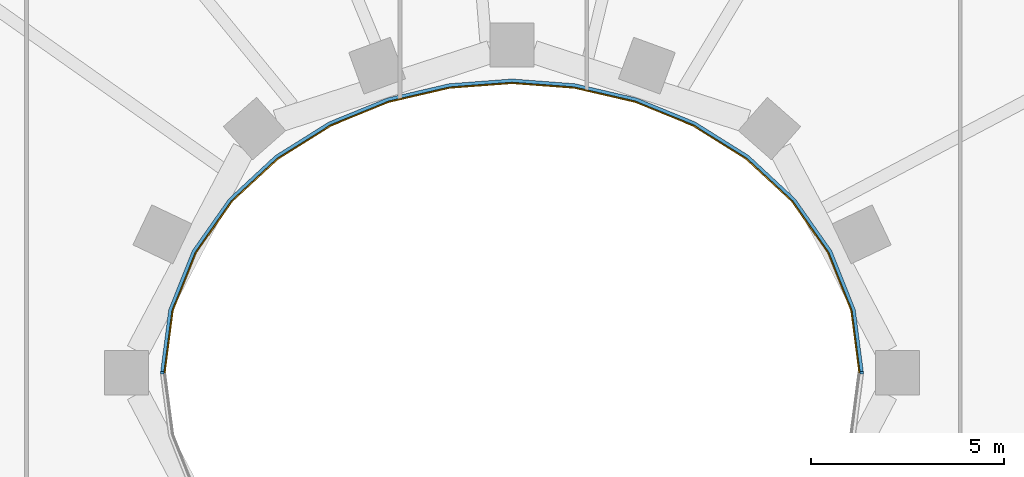
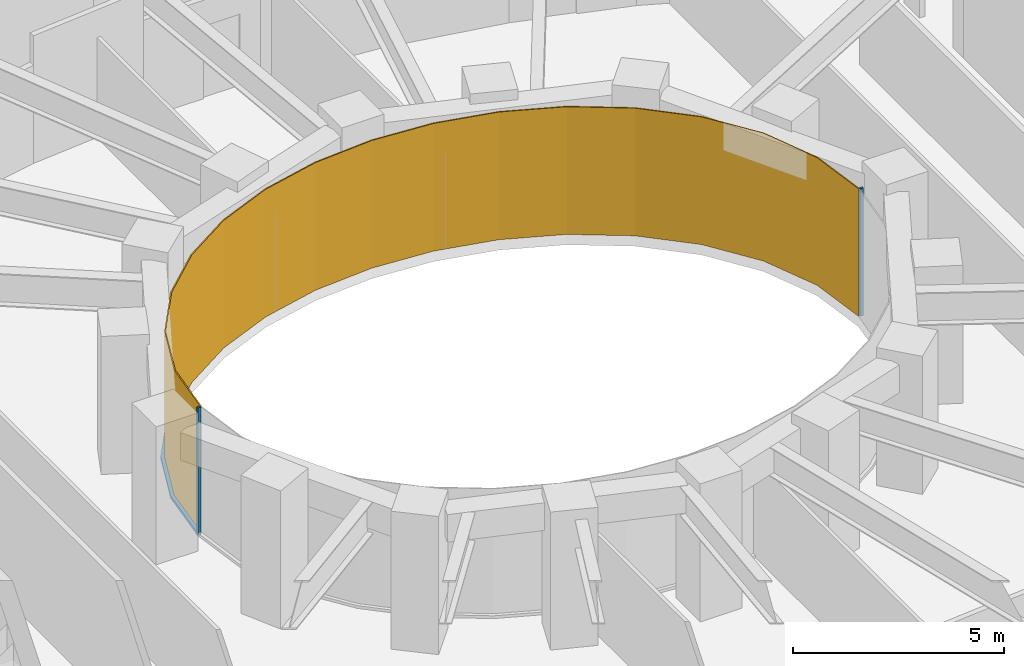
# One storey, part 13 of 17: 3 members, 1 curtain wall.
"""IFC4 building model written with IfcOpenShell, lengths in metres."""

import ifcopenshell
import ifcopenshell.guid

model = None  # the IFC model being written
_history = None  # IfcOwnerHistory: only IFC2X3 demands one
_inside = {}  # id of a spatial element -> (the spatial element, [elements in it])
_under = {}  # id of a project, library or spatial element -> (it, [spatial elements below it])
_declared = {}  # id of a project -> (the project, [libraries it declares])
_typed = {}  # id of a type object -> (the type object, [elements of that type])
_made_of = {}  # id of a material, layer set ... -> (it, [elements and type objects made of it])


def new_model(schema):
    """Start an empty IFC model of exactly this schema.

    Asked for "IFC4X3", IfcOpenShell would pick the latest addendum, in which some entities
    have other attributes; the version numbers below select the first issue.
    IFC2X3 requires an IfcOwnerHistory on every rooted entity: one is made here for all.
    """
    global model, _history
    if schema == "IFC4X3":
        model = ifcopenshell.file(schema_version=(4, 3, 0, 0))
    else:
        model = ifcopenshell.file(schema=schema)
    _inside.clear()
    _under.clear()
    _declared.clear()
    _typed.clear()
    _made_of.clear()
    _history = None
    if model.schema == "IFC2X3":
        org = make("IfcOrganization", Name="unknown")
        user = make(
            "IfcPersonAndOrganization",
            ThePerson=make("IfcPerson", FamilyName="unknown"),
            TheOrganization=org,
        )
        app = make(
            "IfcApplication",
            ApplicationDeveloper=org,
            Version="unknown",
            ApplicationFullName="unknown",
            ApplicationIdentifier="unknown",
        )
        _history = make(
            "IfcOwnerHistory",
            OwningUser=user,
            OwningApplication=app,
            ChangeAction="ADDED",
            CreationDate=0,
        )
    return model


def make(cls, **values):
    """One entity of the class cls with the attributes given. An attribute that is None is left unset."""
    return model.create_entity(
        cls, **{name: value for name, value in values.items() if value is not None}
    )


def rooted(cls, **values):
    """An entity with a GlobalId (a new one), such as an element, a storey or a relation."""
    return make(cls, GlobalId=ifcopenshell.guid.new(), OwnerHistory=_history, **values)


def si_unit(unit_type, name, prefix=None):
    """IfcSIUnit, for example si_unit("LENGTHUNIT", "METRE", prefix="MILLI")."""
    return make("IfcSIUnit", UnitType=unit_type, Prefix=prefix, Name=name)


def assignment(units):
    """IfcUnitAssignment: the units of a project."""
    return None if units is None else make("IfcUnitAssignment", Units=units)


def point(xyz):
    """IfcCartesianPoint."""
    return None if xyz is None else make("IfcCartesianPoint", Coordinates=xyz)


def direction(xyz):
    """IfcDirection."""
    return None if xyz is None else make("IfcDirection", DirectionRatios=xyz)


def frame(location, z_axis=None, x_axis=None):
    """IfcAxis2Placement3D, a coordinate frame: its origin and axes. An axis left out is left unset."""
    return make(
        "IfcAxis2Placement3D",
        Location=point(location),
        Axis=direction(z_axis),
        RefDirection=direction(x_axis),
    )


def frame_2d(location, x_axis=None):
    """IfcAxis2Placement2D, a coordinate frame in the plane: its origin and x axis."""
    return make(
        "IfcAxis2Placement2D", Location=point(location), RefDirection=direction(x_axis)
    )


def origin():
    """The frame at (0, 0, 0) with its axes left unset."""
    return frame((0.0, 0.0, 0.0))


def origin_2d():
    """The frame at (0, 0) in the plane with its x axis left unset."""
    return frame_2d((0.0, 0.0))


def place(relative_to, where):
    """IfcLocalPlacement: puts the frame where relative to a parent placement (None: the world)."""
    return make(
        "IfcLocalPlacement", PlacementRelTo=relative_to, RelativePlacement=where
    )


def context(
    kind, dimensions, precision=None, world=None, true_north=None, identifier=None
):
    """IfcGeometricRepresentationContext, for example the 3D "Model" context."""
    return make(
        "IfcGeometricRepresentationContext",
        ContextIdentifier=identifier,
        ContextType=kind,
        CoordinateSpaceDimension=dimensions,
        Precision=precision,
        WorldCoordinateSystem=world,
        TrueNorth=true_north,
    )


def subcontext(parent, identifier, kind, view, scale=None):
    """IfcGeometricRepresentationSubContext, for example "Body" below "Model"."""
    return make(
        "IfcGeometricRepresentationSubContext",
        ContextIdentifier=identifier,
        ContextType=kind,
        ParentContext=parent,
        TargetScale=scale,
        TargetView=view,
    )


def project(units=None, contexts=None):
    """IfcProject with its units and contexts."""
    return rooted(
        "IfcProject",
        Name="project",
        RepresentationContexts=contexts,
        UnitsInContext=assignment(units),
    )


def spatial(cls, under=None, at=None, **own):
    """A site, building, storey or space (cls), placed at a placement, below another one or the project."""
    s = rooted(cls, ObjectPlacement=at, **own)
    if under is not None:
        _under.setdefault(under.id(), (under, []))[1].append(s)
    return s


def polyline(points):
    """IfcPolyline through the points."""
    return make("IfcPolyline", Points=[point(p) for p in points])


def profile(cls, at=None, kind="AREA", **sizes):
    """A parametric profile (cls). Its sizes go by their IFC names, for example OverallWidth=200.0."""
    return make(cls, ProfileType=kind, Position=at, **sizes)


def rectangle(**sizes):
    """IfcRectangleProfileDef."""
    return profile("IfcRectangleProfileDef", **sizes)


def outline(outer, holes=None, kind="AREA"):
    """IfcArbitraryClosedProfileDef: a profile drawn as a closed curve; with holes, ...WithVoids."""
    if holes is None:
        return make("IfcArbitraryClosedProfileDef", ProfileType=kind, OuterCurve=outer)
    return make(
        "IfcArbitraryProfileDefWithVoids",
        ProfileType=kind,
        OuterCurve=outer,
        InnerCurves=holes,
    )


def extrude(swept, where, along, depth):
    """IfcExtrudedAreaSolid: the profile swept, set in the frame where, extruded along a direction by depth."""
    return make(
        "IfcExtrudedAreaSolid",
        SweptArea=swept,
        Position=where,
        ExtrudedDirection=direction(along),
        Depth=depth,
    )


def shape(context_of_items, identifier, shape_type, items):
    """IfcShapeRepresentation: the items that make up one representation, for example the "Body"."""
    return make(
        "IfcShapeRepresentation",
        ContextOfItems=context_of_items,
        RepresentationIdentifier=identifier,
        RepresentationType=shape_type,
        Items=items,
    )


def material(Name=None, Category=None):
    """IfcMaterial."""
    return make("IfcMaterial", Name=Name, Category=Category)


def layer(
    of_material, thickness, ventilated=None, Name=None, Category=None, Priority=None
):
    """IfcMaterialLayer: one layer of a wall or slab, of a material (None: an air gap)."""
    return make(
        "IfcMaterialLayer",
        Material=of_material,
        LayerThickness=thickness,
        IsVentilated=ventilated,
        Name=Name,
        Category=Category,
        Priority=Priority,
    )


def layer_set(layers, Name=None):
    """IfcMaterialLayerSet."""
    return make("IfcMaterialLayerSet", MaterialLayers=layers, LayerSetName=Name)


def material_profile(
    of_material, cross_section, Name=None, Category=None, Priority=None
):
    """IfcMaterialProfile: a cross section and its material."""
    return make(
        "IfcMaterialProfile",
        Name=Name,
        Material=of_material,
        Profile=cross_section,
        Priority=Priority,
        Category=Category,
    )


def profile_set(profiles, Name=None, composite=None):
    """IfcMaterialProfileSet."""
    return make(
        "IfcMaterialProfileSet",
        Name=Name,
        MaterialProfiles=profiles,
        CompositeProfile=composite,
    )


def made_of(thing, what):
    """Note that an element or type object is made of a material, layer set ...; save() writes the relation."""
    if what is not None:
        _made_of.setdefault(what.id(), (what, []))[1].append(thing)
    return thing


def type_object(cls, material=None, **own):
    """A type object (cls), such as IfcWallType, which elements share."""
    return made_of(rooted(cls, **own), material)


def element(
    cls,
    number,
    at=None,
    inside=None,
    cuts=None,
    type_object=None,
    material=None,
    context=None,
    identifier="Body",
    shape_type=None,
    held_by="IfcProductDefinitionShape",
    body=None,
    shapes=None,
    **own,
):
    """One element of the class cls, such as IfcWall. Its Tag is "e" and its number.

    at: its placement. inside: the storey or other place that contains it. cuts: it is an
    opening in that element (IfcRelVoidsElement). A single representation is given by context,
    identifier, shape_type and body (its items); several are given by shapes. held_by: the class
    of the entity that holds the representations. save() writes the other relations.
    """
    e = rooted(cls, Tag="e%d" % number, ObjectPlacement=at, **own)
    if body is not None:
        shapes = [shape(context, identifier, shape_type, body)]
    if shapes is not None:
        e.Representation = make(held_by, Representations=shapes)
    if inside is not None:
        _inside.setdefault(inside.id(), (inside, []))[1].append(e)
    if cuts is not None:
        rooted(
            "IfcRelVoidsElement", RelatingBuildingElement=cuts, RelatedOpeningElement=e
        )
    if type_object is not None:
        _typed.setdefault(type_object.id(), (type_object, []))[1].append(e)
    return made_of(e, material)


def aggregate(whole, parts):
    """IfcRelAggregates: a whole, such as a stair, and the parts it consists of."""
    return rooted("IfcRelAggregates", RelatingObject=whole, RelatedObjects=parts)


def save(model, path):
    """Write the relations noted so far, then the file.

    IfcRelAggregates (storeys below a building ...), IfcRelContainedInSpatialStructure (elements
    in a storey), IfcRelDefinesByType, IfcRelAssociatesMaterial and IfcRelDeclares: one each for
    every whole, place, type object, material and project.
    """
    for whole, parts in _under.values():
        aggregate(whole, parts)
    for where, things in _inside.values():
        rooted(
            "IfcRelContainedInSpatialStructure",
            RelatedElements=things,
            RelatingStructure=where,
        )
    for kind, things in _typed.values():
        rooted("IfcRelDefinesByType", RelatedObjects=things, RelatingType=kind)
    for what, things in _made_of.values():
        rooted("IfcRelAssociatesMaterial", RelatedObjects=things, RelatingMaterial=what)
    for by, libraries in _declared.values():
        rooted("IfcRelDeclares", RelatingContext=by, RelatedDefinitions=libraries)
    model.write(path)


model = new_model("IFC4")

# Units and contexts
model_context = context("Model", 3, precision=1e-05, world=origin(), true_north=direction((0.0, 1.0)))
body_context = subcontext(model_context, "Body", "Model", "MODEL_VIEW")
ifc_project = project(units=[si_unit("LENGTHUNIT", "METRE"), si_unit("AREAUNIT", "SQUARE_METRE"), si_unit("VOLUMEUNIT", "CUBIC_METRE"), si_unit("PLANEANGLEUNIT", "RADIAN"), si_unit("MASSUNIT", "GRAM", prefix="KILO")], contexts=[model_context])

# Member
ifc_material_1 = material(Name="Steel S355 fire-resisting frame", Category="steel")
ifc_material_profile = material_profile(ifc_material_1, rectangle(XDim=0.090087890625, YDim=0.06005859375, at=origin_2d()), Name="90x60")
ifc_profile_set = profile_set([ifc_material_profile], Name="Steel S355 fire-resisting frame")
member_type_1 = type_object("IfcMemberType", Name="ENV-MULLION-W-90", PredefinedType="MULLION", material=ifc_profile_set)
site_placement = place(None, origin())
building_placement = place(site_placement, origin())
storey_placement = place(building_placement, frame((0.0, 0.0, 120.0)))
member_1_placement = place(storey_placement, frame((9.076904296875, 0.0, 0.0), z_axis=(0.0, 0.0, 1.0), x_axis=(1.0, 0.0, 0.0)))
member_1 = element("IfcMember", 1, at=member_1_placement, type_object=member_type_1, Name="Mullion W well vertex 01", PredefinedType="MULLION", context=body_context, shape_type="SweptSolid", body=[
    extrude(rectangle(XDim=0.090087890625, YDim=0.06005859375, at=origin_2d()), origin(), (0.0, 0.0, 1.0), 3.699951171875),
])

member_2_placement = place(storey_placement, frame((-9.076904296875, 0.0, 0.0), z_axis=(0.0, 0.0, 1.0), x_axis=(-1.0, 0.0, 0.0)))
member_2 = element("IfcMember", 2, at=member_2_placement, type_object=member_type_1, Name="Mullion W well vertex 17", PredefinedType="MULLION", context=body_context, shape_type="SweptSolid", body=[
    extrude(rectangle(XDim=0.090087890625, YDim=0.06005859375, at=origin_2d()), origin(), (0.0, 0.0, 1.0), 3.699951171875),
])

ifc_material_2 = material(Name="Steel S355 fire-resisting frame", Category="steel")
member_type_2 = type_object("IfcMemberType", Name="ENV-TRANSOM-W", PredefinedType="USERDEFINED", material=ifc_material_2)
member_3_placement = place(storey_placement, origin())
member_3 = element("IfcMember", 3, at=member_3_placement, type_object=member_type_2, Name="Transom W well 01-17", ObjectType="TRANSOM", PredefinedType="USERDEFINED", context=body_context, shape_type="SweptSolid", body=[
    extrude(outline(polyline([(9.119384765625, 0.02783203125), (8.910400390625, 1.63623046875), (8.29833984375, 3.167236328125), (7.35107421875, 4.5146484375), (6.1455078125, 5.6337890625), (4.75341796875, 6.50634765625), (3.233642578125, 7.127685546875), (1.635498046875, 7.498779296875), (0.0, 7.622314453125), (-1.635498046875, 7.498779296875), (-3.233642578125, 7.127685546875), (-4.75341796875, 6.50634765625), (-6.1455078125, 5.6337890625), (-7.35107421875, 4.5146484375), (-8.29833984375, 3.167236328125), (-8.910400390625, 1.63623046875), (-9.119384765625, 0.02783203125), (-9.02880859375, 0.02783203125), (-8.822509765625, 1.61328125), (-8.21875, 3.124267578125), (-7.282958984375, 4.455078125), (-6.090576171875, 5.56201171875), (-4.712158203125, 6.426025390625), (-3.206298828125, 7.04150390625), (-1.621826171875, 7.40966796875), (0.0, 7.531982421875), (1.621826171875, 7.40966796875), (3.206298828125, 7.04150390625), (4.712158203125, 6.426025390625), (6.090576171875, 5.56201171875), (7.282958984375, 4.455078125), (8.21875, 3.124267578125), (8.822509765625, 1.61328125), (9.02880859375, 0.02783203125), (9.119384765625, 0.02783203125)])), origin(), (0.0, 0.0, 1.0), 0.080078125),
])

# Site, building, storey
site = spatial("IfcSite", under=ifc_project, at=site_placement, CompositionType="ELEMENT")
building = spatial("IfcBuilding", under=site, at=building_placement, Name="Noorbagh Ring Tower", CompositionType="ELEMENT")
storey = spatial("IfcBuildingStorey", under=building, at=storey_placement, Name="L27", CompositionType="ELEMENT", Elevation=120.0)

# Curtain wall
ifc_material_3 = material(Name="Glass fire-resisting E60 laminated", Category="glass")
ifc_layer = layer(ifc_material_3, 0.031982421875)
ifc_layer_set = layer_set([ifc_layer], Name="Glass fire-resisting E60 laminated")
curtain_wall_type = type_object("IfcCurtainWallType", Name="ENV-CW-W", PredefinedType="NOTDEFINED", material=ifc_layer_set)
curtain_wall_placement = place(storey_placement, origin())
curtain_wall = element("IfcCurtainWall", 4, at=curtain_wall_placement, inside=storey, type_object=curtain_wall_type, Name="Curtain wall W W01", PredefinedType="NOTDEFINED", context=body_context, shape_type="SweptSolid", body=[
    extrude(outline(polyline([(9.0322265625, 0.0), (8.822509765625, 1.61328125), (8.21875, 3.124267578125), (7.282958984375, 4.455078125), (6.090576171875, 5.56201171875), (4.712158203125, 6.426025390625), (3.206298828125, 7.04150390625), (1.621826171875, 7.40966796875), (0.0, 7.531982421875), (-1.621826171875, 7.40966796875), (-3.206298828125, 7.04150390625), (-4.712158203125, 6.426025390625), (-6.090576171875, 5.56201171875), (-7.282958984375, 4.455078125), (-8.21875, 3.124267578125), (-8.822509765625, 1.61328125), (-9.0322265625, 0.0), (-9.0, 0.0), (-8.79150390625, 1.605224609375), (-8.1904296875, 3.10888671875), (-7.2587890625, 4.43408203125), (-6.071044921875, 5.53662109375), (-4.697509765625, 6.3974609375), (-3.196533203125, 7.010986328125), (-1.6171875, 7.3779296875), (0.0, 7.5), (1.6171875, 7.3779296875), (3.196533203125, 7.010986328125), (4.697509765625, 6.3974609375), (6.071044921875, 5.53662109375), (7.2587890625, 4.43408203125), (8.1904296875, 3.10888671875), (8.79150390625, 1.605224609375), (9.0, 0.0), (9.0322265625, 0.0)])), origin(), (0.0, 0.0, 1.0), 3.699951171875),
])

aggregate(curtain_wall, [member_1, member_2, member_3])

save(model, "model.ifc")
